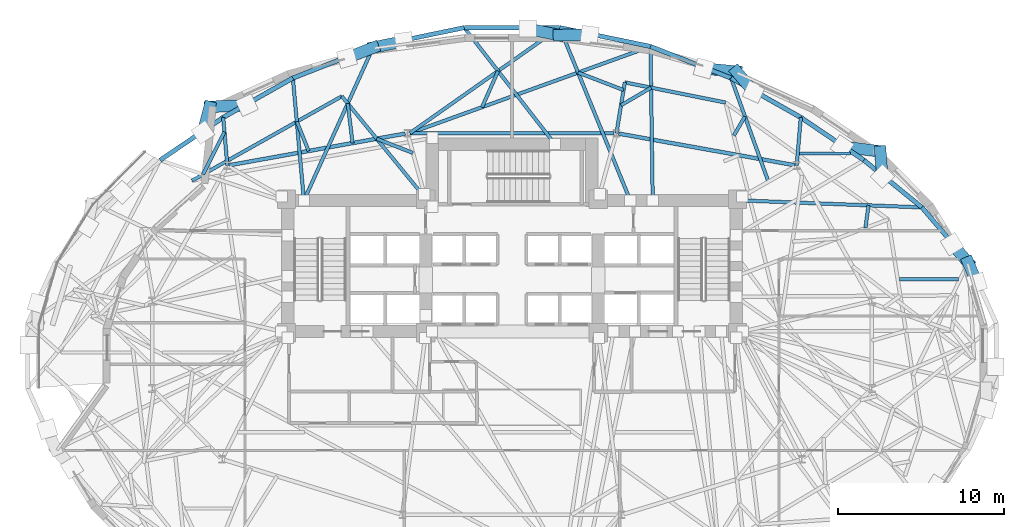
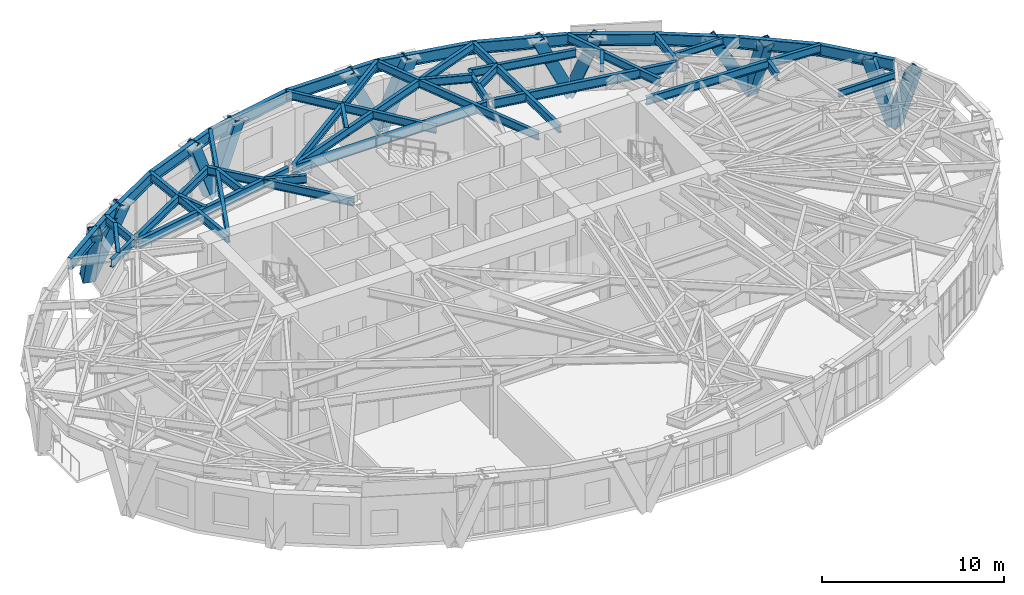
# One storey, part 7 of 20: 40 beams, 12 members.
"""IFC4 building model written with IfcOpenShell, lengths in metres."""

from ifc_helpers import new_model, si_unit, direction, frame, origin, origin_2d, place, context, subcontext, project, spatial, hollow_rectangle, i_section, extrude, material, material_profile, profile_set, type_object, element, save


model = new_model("IFC4")

# Units and contexts
model_context = context("Model", 3, precision=1e-05, world=origin(), true_north=direction((0.0, 1.0)))
body_context = subcontext(model_context, "Body", "Model", "MODEL_VIEW")
ifc_project = project(units=[si_unit("LENGTHUNIT", "METRE"), si_unit("AREAUNIT", "SQUARE_METRE"), si_unit("VOLUMEUNIT", "CUBIC_METRE"), si_unit("PLANEANGLEUNIT", "RADIAN"), si_unit("MASSUNIT", "GRAM", prefix="KILO")], contexts=[model_context])

# Site, building, storey
site_placement = place(None, origin())
site = spatial("IfcSite", under=ifc_project, at=site_placement, CompositionType="ELEMENT")
building_placement = place(site_placement, origin())
building = spatial("IfcBuilding", under=site, at=building_placement, Name="Keldmark Tower", CompositionType="ELEMENT")
storey_placement = place(building_placement, frame((0.0, 0.0, 81.89990234375)))
storey = spatial("IfcBuildingStorey", under=building, at=storey_placement, Name="L21", CompositionType="ELEMENT", Elevation=81.89990234375)

# Beams
ifc_material_1 = material(Name="Steel ASTM A992 Grade 50", Category="steel")
ifc_material_profile_1 = material_profile(ifc_material_1, i_section(OverallWidth=0.19091796875, OverallDepth=0.45703125, WebThickness=0.009033203125, FlangeThickness=0.014404296875, at=origin_2d()), Name="W18X50")
ifc_profile_set_1 = profile_set([ifc_material_profile_1], Name="Steel ASTM A992 Grade 50")
beam_type_1 = type_object("IfcBeamType", Name="Composite Floor Joist W18X50", PredefinedType="JOIST", material=ifc_profile_set_1)
beam_1_placement = place(storey_placement, frame((23.35595703125, 4.6201171875, 3.781494140625), z_axis=(1.0, 0.0, 0.0), x_axis=(0.0, 1.0, 0.0)))
element("IfcBeam", 1, at=beam_1_placement, inside=storey, type_object=beam_type_1, Name="L21 Composite Floor Joist J09", PredefinedType="JOIST", context=body_context, shape_type="SweptSolid", body=[
    extrude(i_section(OverallWidth=0.19091796875, OverallDepth=0.45703125, WebThickness=0.009033203125, FlangeThickness=0.014404296875, at=origin_2d()), origin(), (0.0, 0.0, 1.0), 3.557373046875),
])
beam_2_placement = place(storey_placement, frame((17.329345703125, 12.199951171875, 3.781494140625), z_axis=(1.0, 0.0, 0.0), x_axis=(0.0, 1.0, 0.0)))
element("IfcBeam", 2, at=beam_2_placement, inside=storey, type_object=beam_type_1, Name="L21 Composite Floor Joist J10", PredefinedType="JOIST", context=body_context, shape_type="SweptSolid", body=[
    extrude(i_section(OverallWidth=0.19091796875, OverallDepth=0.45703125, WebThickness=0.009033203125, FlangeThickness=0.014404296875, at=origin_2d()), origin(), (0.0, 0.0, 1.0), 3.079345703125),
])

# Members
ifc_material_2 = material(Name="Steel ASTM A572 Grade 50", Category="steel")
ifc_material_profile_2 = material_profile(ifc_material_2, hollow_rectangle(XDim=0.699951171875, YDim=0.699951171875, WallThickness=0.054931640625, at=origin_2d()), Name="BOX700X700X55")
ifc_profile_set_2 = profile_set([ifc_material_profile_2], Name="Steel ASTM A572 Grade 50")
member_type = type_object("IfcMemberType", Name="Diagrid Zone 1 Brace BOX700X700X55", PredefinedType="BRACE", material=ifc_profile_set_2)
member_1_placement = place(storey_placement, frame((27.500244140625, 5.65478515625, -0.2998046875), z_axis=(0.12044174913, -0.281049240485, 0.952105618873), x_axis=(0.919154414374, 0.393897401028, 0.0)))
element("IfcMember", 3, at=member_1_placement, inside=storey, type_object=member_type, Name="L21 Perimeter Diagrid Brace 01A", PredefinedType="BRACE", context=body_context, shape_type="SweptSolid", body=[
    extrude(hollow_rectangle(XDim=0.699951171875, YDim=0.699951171875, WallThickness=0.054931640625, at=origin_2d()), origin(), (0.0, 0.0, 1.0), 4.400634765625),
])
member_2_placement = place(storey_placement, frame((27.50244140625, 5.643310546875, -0.2998046875), z_axis=(-0.217627513872, 0.247554047629, 0.944116125648), x_axis=(-0.751044511296, -0.66025157482, 0.0)))
element("IfcMember", 4, at=member_2_placement, inside=storey, type_object=member_type, Name="L21 Perimeter Diagrid Brace 01B", PredefinedType="BRACE", context=body_context, shape_type="SweptSolid", body=[
    extrude(hollow_rectangle(XDim=0.699951171875, YDim=0.699951171875, WallThickness=0.054931640625, at=origin_2d()), origin(), (0.0, 0.0, 1.0), 4.43798828125),
])
member_3_placement = place(storey_placement, frame((22.209716796875, 12.34228515625, -0.2998046875), z_axis=(0.027823861202, -0.340075500402, 0.939986429037), x_axis=(0.996669722655, 0.081544245307, 0.0)))
element("IfcMember", 5, at=member_3_placement, inside=storey, type_object=member_type, Name="L21 Perimeter Diagrid Brace 02A", PredefinedType="BRACE", context=body_context, shape_type="SweptSolid", body=[
    extrude(hollow_rectangle(XDim=0.699951171875, YDim=0.699951171875, WallThickness=0.054931640625, at=origin_2d()), origin(), (0.0, 0.0, 1.0), 4.45751953125),
])
member_4_placement = place(storey_placement, frame((22.21630859375, 12.33251953125, -0.2998046875), z_axis=(-0.482147603591, 0.061108695005, 0.8739561864), x_axis=(-0.125736835379, -0.992063631139, 0.0)))
element("IfcMember", 6, at=member_4_placement, inside=storey, type_object=member_type, Name="L21 Perimeter Diagrid Brace 02B", PredefinedType="BRACE", context=body_context, shape_type="SweptSolid", body=[
    extrude(hollow_rectangle(XDim=0.699951171875, YDim=0.699951171875, WallThickness=0.054931640625, at=origin_2d()), origin(), (0.0, 0.0, 1.0), 4.794189453125),
])
member_5_placement = place(storey_placement, frame((13.5380859375, 17.151123046875, -0.2998046875), z_axis=(0.231139046021, -0.274593186673, 0.933366660663), x_axis=(0.765044778208, 0.643977086034, 0.0)))
element("IfcMember", 7, at=member_5_placement, inside=storey, type_object=member_type, Name="L21 Perimeter Diagrid Brace 03A", PredefinedType="BRACE", context=body_context, shape_type="SweptSolid", body=[
    extrude(hollow_rectangle(XDim=0.699951171875, YDim=0.699951171875, WallThickness=0.054931640625, at=origin_2d()), origin(), (0.0, 0.0, 1.0), 4.489013671875),
])
member_6_placement = place(storey_placement, frame((13.5478515625, 17.14453125, -0.2998046875), z_axis=(-0.427483701348, 0.041674925094, 0.90306195009), x_axis=(-0.097028926271, -0.995281561904, 0.0)))
element("IfcMember", 8, at=member_6_placement, inside=storey, type_object=member_type, Name="L21 Perimeter Diagrid Brace 03B", PredefinedType="BRACE", context=body_context, shape_type="SweptSolid", body=[
    extrude(hollow_rectangle(XDim=0.699951171875, YDim=0.699951171875, WallThickness=0.054931640625, at=origin_2d()), origin(), (0.0, 0.0, 1.0), 4.6396484375),
])
member_7_placement = place(storey_placement, frame((2.805419921875, 19.3486328125, -0.2998046875), z_axis=(0.409129143285, 0.002764745348, 0.912472301113), x_axis=(-0.006757480537, 0.999977167968, 0.0)))
element("IfcMember", 9, at=member_7_placement, inside=storey, type_object=member_type, Name="L21 Perimeter Diagrid Brace 04A", PredefinedType="BRACE", context=body_context, shape_type="SweptSolid", body=[
    extrude(hollow_rectangle(XDim=0.699951171875, YDim=0.699951171875, WallThickness=0.054931640625, at=origin_2d()), origin(), (0.0, 0.0, 1.0), 4.591796875),
])
member_8_placement = place(storey_placement, frame((2.81689453125, 19.346435546875, -0.2998046875), z_axis=(-0.404995460676, 0.085083525727, 0.910351289603), x_axis=(-0.205597030083, -0.978636736088, 0.0)))
element("IfcMember", 10, at=member_8_placement, inside=storey, type_object=member_type, Name="L21 Perimeter Diagrid Brace 04B", PredefinedType="BRACE", context=body_context, shape_type="SweptSolid", body=[
    extrude(hollow_rectangle(XDim=0.699951171875, YDim=0.699951171875, WallThickness=0.054931640625, at=origin_2d()), origin(), (0.0, 0.0, 1.0), 4.6025390625),
])
member_9_placement = place(storey_placement, frame((-8.354248046875, 18.6005859375, -0.2998046875), z_axis=(0.399517615859, 0.082723021659, 0.912985529078), x_axis=(-0.202756509143, 0.979229185635, 0.0)))
element("IfcMember", 11, at=member_9_placement, inside=storey, type_object=member_type, Name="L21 Perimeter Diagrid Brace 05A", PredefinedType="BRACE", context=body_context, shape_type="SweptSolid", body=[
    extrude(hollow_rectangle(XDim=0.699951171875, YDim=0.699951171875, WallThickness=0.054931640625, at=origin_2d()), origin(), (0.0, 0.0, 1.0), 4.58935546875),
])
member_10_placement = place(storey_placement, frame((-8.3427734375, 18.602783203125, -0.2998046875), z_axis=(-0.35550658769, -0.139897927116, 0.92414481338), x_axis=(0.366184335063, -0.930542332597, 0.0)))
element("IfcMember", 12, at=member_10_placement, inside=storey, type_object=member_type, Name="L21 Perimeter Diagrid Brace 05B", PredefinedType="BRACE", context=body_context, shape_type="SweptSolid", body=[
    extrude(hollow_rectangle(XDim=0.699951171875, YDim=0.699951171875, WallThickness=0.054931640625, at=origin_2d()), origin(), (0.0, 0.0, 1.0), 4.533935546875),
])
member_11_placement = place(storey_placement, frame((-18.2421875, 15.020751953125, -0.2998046875), z_axis=(0.474031171638, 0.021080589866, 0.880255677088), x_axis=(-0.044426984701, 0.999012634069, 0.0)))
element("IfcMember", 13, at=member_11_placement, inside=storey, type_object=member_type, Name="L21 Perimeter Diagrid Brace 06A", PredefinedType="BRACE", context=body_context, shape_type="SweptSolid", body=[
    extrude(hollow_rectangle(XDim=0.699951171875, YDim=0.699951171875, WallThickness=0.054931640625, at=origin_2d()), origin(), (0.0, 0.0, 1.0), 4.760009765625),
])
member_12_placement = place(storey_placement, frame((-18.232421875, 15.02734375, -0.2998046875), z_axis=(-0.091907270107, -0.345590925072, 0.933873635033), x_axis=(0.966408983899, -0.257009096804, 0.0)))
element("IfcMember", 14, at=member_12_placement, inside=storey, type_object=member_type, Name="L21 Perimeter Diagrid Brace 06B", PredefinedType="BRACE", context=body_context, shape_type="SweptSolid", body=[
    extrude(hollow_rectangle(XDim=0.699951171875, YDim=0.699951171875, WallThickness=0.054931640625, at=origin_2d()), origin(), (0.0, 0.0, 1.0), 4.486572265625),
])

# Beams
ifc_material_3 = material(Name="Steel ASTM A992 Grade 50", Category="steel")
ifc_material_profile_3 = material_profile(ifc_material_3, i_section(OverallWidth=0.22900390625, OverallDepth=0.612060546875, WebThickness=0.011962890625, FlangeThickness=0.01953125, at=origin_2d()), Name="W24X84")
ifc_profile_set_3 = profile_set([ifc_material_profile_3], Name="Steel ASTM A992 Grade 50")
beam_type_2 = type_object("IfcBeamType", Name="Primary Floor Girder W24X84", PredefinedType="BEAM", material=ifc_profile_set_3)
beam_3_placement = place(storey_placement, frame((17.029296875, 11.503173828125, 3.7041015625), z_axis=(-0.984218266992, 0.176958760505, 0.0), x_axis=(-0.176958760505, -0.984218266992, 0.0)))
element("IfcBeam", 15, at=beam_3_placement, inside=storey, type_object=beam_type_2, Name="L21 Floor Ring Girder FG-R02", PredefinedType="BEAM", context=body_context, shape_type="SweptSolid", body=[
    extrude(i_section(OverallWidth=0.22900390625, OverallDepth=0.612060546875, WebThickness=0.011962890625, FlangeThickness=0.01953125, at=origin_2d()), origin(), (0.0, 0.0, 1.0), 10.7626953125),
])
beam_4_placement = place(storey_placement, frame((6.15869140625, 13.4326171875, 3.7041015625), z_axis=(-1.0, 0.0, 0.0), x_axis=(0.0, -1.0, 0.0)))
element("IfcBeam", 16, at=beam_4_placement, inside=storey, type_object=beam_type_2, Name="L21 Floor Ring Girder FG-R03", PredefinedType="BEAM", context=body_context, shape_type="SweptSolid", body=[
    extrude(i_section(OverallWidth=0.22900390625, OverallDepth=0.612060546875, WebThickness=0.011962890625, FlangeThickness=0.01953125, at=origin_2d()), origin(), (0.0, 0.0, 1.0), 12.3173828125),
])
beam_5_placement = place(storey_placement, frame((-6.4365234375, 13.40771484375, 3.7041015625), z_axis=(-0.984218266992, -0.176958760505, 0.0), x_axis=(0.176958760505, -0.984218266992, 0.0)))
element("IfcBeam", 17, at=beam_5_placement, inside=storey, type_object=beam_type_2, Name="L21 Floor Ring Girder FG-R04", PredefinedType="BEAM", context=body_context, shape_type="SweptSolid", body=[
    extrude(i_section(OverallWidth=0.22900390625, OverallDepth=0.612060546875, WebThickness=0.011962890625, FlangeThickness=0.01953125, at=origin_2d()), origin(), (0.0, 0.0, 1.0), 10.7626953125),
])
ifc_material_4 = material(Name="Steel ASTM A992 Grade 50", Category="steel")
ifc_material_profile_4 = material_profile(ifc_material_4, i_section(OverallWidth=0.2099609375, OverallDepth=0.537109375, WebThickness=0.010986328125, FlangeThickness=0.017333984375, at=origin_2d()), Name="W21X68")
ifc_profile_set_4 = profile_set([ifc_material_profile_4], Name="Steel ASTM A992 Grade 50")
beam_type_3 = type_object("IfcBeamType", Name="Radial Tie Girder W21X68", PredefinedType="BEAM", material=ifc_profile_set_4)
beam_6_placement = place(storey_placement, frame((-5.968505859375, 12.23583984375, 3.74169921875), z_axis=(-0.930557263948, 0.366146389459, 0.0), x_axis=(-0.366146389459, -0.930557263948, 0.0)))
element("IfcBeam", 18, at=beam_6_placement, inside=storey, type_object=beam_type_3, Name="L21 Framing Pin Header PH-002", PredefinedType="BEAM", context=body_context, shape_type="SweptSolid", body=[
    extrude(i_section(OverallWidth=0.2099609375, OverallDepth=0.537109375, WebThickness=0.010986328125, FlangeThickness=0.017333984375, at=origin_2d()), origin(), (0.0, 0.0, 1.0), 2.3544921875),
])
beam_7_placement = place(storey_placement, frame((-4.800048828125, 9.0, 3.74169921875), z_axis=(-0.633977169225, 0.773351762719, 0.0), x_axis=(-0.773351762719, -0.633977169225, 0.0)))
element("IfcBeam", 19, at=beam_7_placement, inside=storey, type_object=beam_type_3, Name="L21 Sub-Ring Step Girder STP1-M05", PredefinedType="BEAM", context=body_context, shape_type="SweptSolid", body=[
    extrude(i_section(OverallWidth=0.2099609375, OverallDepth=0.537109375, WebThickness=0.010986328125, FlangeThickness=0.017333984375, at=origin_2d()), origin(), (0.0, 0.0, 1.0), 8.609619140625),
])
beam_8_placement = place(storey_placement, frame((-10.25830078125, 15.658203125, 3.74169921875), z_axis=(-0.871422105333, -0.490533907429, 0.0), x_axis=(0.490533907429, -0.871422105333, 0.0)))
element("IfcBeam", 20, at=beam_8_placement, inside=storey, type_object=beam_type_3, Name="L21 Perimeter Collector Ring Beam CRG1-M05", PredefinedType="BEAM", context=body_context, shape_type="SweptSolid", body=[
    extrude(i_section(OverallWidth=0.2099609375, OverallDepth=0.537109375, WebThickness=0.010986328125, FlangeThickness=0.017333984375, at=origin_2d()), origin(), (0.0, 0.0, 1.0), 10.37158203125),
])
beam_9_placement = place(storey_placement, frame((21.311767578125, 7.714599609375, 3.74169921875), z_axis=(0.136140152401, 0.990689587562, 0.0), x_axis=(-0.990689587562, 0.136140152401, 0.0)))
element("IfcBeam", 21, at=beam_9_placement, inside=storey, type_object=beam_type_3, Name="L21 Framing Pin Header PH-013", PredefinedType="BEAM", context=body_context, shape_type="SweptSolid", body=[
    extrude(i_section(OverallWidth=0.2099609375, OverallDepth=0.537109375, WebThickness=0.010986328125, FlangeThickness=0.017333984375, at=origin_2d()), origin(), (0.0, 0.0, 1.0), 1.379150390625),
])
beam_10_placement = place(storey_placement, frame((13.89990234375, 9.375, 3.74169921875), z_axis=(0.999252189112, -0.03866603877, 0.0), x_axis=(0.03866603877, 0.999252189112, 0.0)))
element("IfcBeam", 22, at=beam_10_placement, inside=storey, type_object=beam_type_3, Name="L21 Perimeter Radial Tie Girder RT-03", PredefinedType="BEAM", context=body_context, shape_type="SweptSolid", body=[
    extrude(i_section(OverallWidth=0.2099609375, OverallDepth=0.537109375, WebThickness=0.010986328125, FlangeThickness=0.017333984375, at=origin_2d()), origin(), (0.0, 0.0, 1.0), 10.82861328125),
])
beam_11_placement = place(storey_placement, frame((17.1669921875, 11.478271484375, 3.74169921875), z_axis=(0.084916582356, 0.99638806398, 0.0), x_axis=(-0.99638806398, 0.084916582356, 0.0)))
element("IfcBeam", 23, at=beam_11_placement, inside=storey, type_object=beam_type_3, Name="L21 Perimeter Column Bracket RT-05", PredefinedType="BEAM", context=body_context, shape_type="SweptSolid", body=[
    extrude(i_section(OverallWidth=0.2099609375, OverallDepth=0.537109375, WebThickness=0.010986328125, FlangeThickness=0.017333984375, at=origin_2d()), origin(), (0.0, 0.0, 1.0), 2.915283203125),
])
beam_12_placement = place(storey_placement, frame((13.376220703125, 13.290771484375, 3.74169921875), z_axis=(0.504418746435, 0.863459164203, 0.0), x_axis=(-0.863459164203, 0.504418746435, 0.0)))
element("IfcBeam", 24, at=beam_12_placement, inside=storey, type_object=beam_type_3, Name="L21 Framing Pin Header PH-014", PredefinedType="BEAM", context=body_context, shape_type="SweptSolid", body=[
    extrude(i_section(OverallWidth=0.2099609375, OverallDepth=0.537109375, WebThickness=0.010986328125, FlangeThickness=0.017333984375, at=origin_2d()), origin(), (0.0, 0.0, 1.0), 1.330078125),
])
beam_13_placement = place(storey_placement, frame((15.4619140625, 10.508544921875, 3.74169921875), z_axis=(-0.338653062417, 0.94091131533, 0.0), x_axis=(-0.94091131533, -0.338653062417, 0.0)))
element("IfcBeam", 25, at=beam_13_placement, inside=storey, type_object=beam_type_3, Name="L21 Perimeter Radial Tie Girder RT-06", PredefinedType="BEAM", context=body_context, shape_type="SweptSolid", body=[
    extrude(i_section(OverallWidth=0.2099609375, OverallDepth=0.537109375, WebThickness=0.010986328125, FlangeThickness=0.017333984375, at=origin_2d()), origin(), (0.0, 0.0, 1.0), 6.6396484375),
])
beam_14_placement = place(storey_placement, frame((-9.614501953125, 12.836181640625, 3.74169921875), z_axis=(-0.120101134946, 0.992761661923, 0.0), x_axis=(-0.992761661923, -0.120101134946, 0.0)))
element("IfcBeam", 26, at=beam_14_placement, inside=storey, type_object=beam_type_3, Name="L21 Framing Pin Header PH-015", PredefinedType="BEAM", context=body_context, shape_type="SweptSolid", body=[
    extrude(i_section(OverallWidth=0.2099609375, OverallDepth=0.537109375, WebThickness=0.010986328125, FlangeThickness=0.017333984375, at=origin_2d()), origin(), (0.0, 0.0, 1.0), 2.40673828125),
])
beam_15_placement = place(storey_placement, frame((-12.54638671875, 9.375, 3.74169921875), z_axis=(0.411684300449, 0.911326525875, 0.0), x_axis=(-0.911326525875, 0.411684300449, 0.0)))
element("IfcBeam", 27, at=beam_15_placement, inside=storey, type_object=beam_type_3, Name="L21 Perimeter Radial Tie Girder RT-10", PredefinedType="BEAM", context=body_context, shape_type="SweptSolid", body=[
    extrude(i_section(OverallWidth=0.2099609375, OverallDepth=0.537109375, WebThickness=0.010986328125, FlangeThickness=0.017333984375, at=origin_2d()), origin(), (0.0, 0.0, 1.0), 10.189453125),
])
beam_16_placement = place(storey_placement, frame((-12.2626953125, 12.360107421875, 3.74169921875), z_axis=(-0.374016297746, 0.927422130974, 0.0), x_axis=(-0.927422130974, -0.374016297746, 0.0)))
element("IfcBeam", 28, at=beam_16_placement, inside=storey, type_object=beam_type_3, Name="L21 Framing Pin Header PH-016", PredefinedType="BEAM", context=body_context, shape_type="SweptSolid", body=[
    extrude(i_section(OverallWidth=0.2099609375, OverallDepth=0.537109375, WebThickness=0.010986328125, FlangeThickness=0.017333984375, at=origin_2d()), origin(), (0.0, 0.0, 1.0), 1.90673828125),
])
beam_17_placement = place(storey_placement, frame((-12.54638671875, 9.375, 3.74169921875), z_axis=(-0.090001079534, 0.995941667811, 0.0), x_axis=(-0.995941667811, -0.090001079534, 0.0)))
element("IfcBeam", 29, at=beam_17_placement, inside=storey, type_object=beam_type_3, Name="L21 Perimeter Radial Tie Girder RT-11", PredefinedType="BEAM", context=body_context, shape_type="SweptSolid", body=[
    extrude(i_section(OverallWidth=0.2099609375, OverallDepth=0.537109375, WebThickness=0.010986328125, FlangeThickness=0.017333984375, at=origin_2d()), origin(), (0.0, 0.0, 1.0), 7.410888671875),
])
beam_18_placement = place(storey_placement, frame((-17.1669921875, 11.478271484375, 3.74169921875), z_axis=(-0.084916582356, 0.99638806398, 0.0), x_axis=(-0.99638806398, -0.084916582356, 0.0)))
element("IfcBeam", 30, at=beam_18_placement, inside=storey, type_object=beam_type_3, Name="L21 Perimeter Column Bracket RT-12", PredefinedType="BEAM", context=body_context, shape_type="SweptSolid", body=[
    extrude(i_section(OverallWidth=0.2099609375, OverallDepth=0.537109375, WebThickness=0.010986328125, FlangeThickness=0.017333984375, at=origin_2d()), origin(), (0.0, 0.0, 1.0), 2.915283203125),
])
beam_19_placement = place(storey_placement, frame((-17.34033203125, 13.51171875, 3.74169921875), z_axis=(-0.449353711961, -0.893353928489, 0.0), x_axis=(0.893353928489, -0.449353711961, 0.0)))
element("IfcBeam", 31, at=beam_19_placement, inside=storey, type_object=beam_type_3, Name="L21 Framing Pin Header PH-017", PredefinedType="BEAM", context=body_context, shape_type="SweptSolid", body=[
    extrude(i_section(OverallWidth=0.2099609375, OverallDepth=0.537109375, WebThickness=0.010986328125, FlangeThickness=0.017333984375, at=origin_2d()), origin(), (0.0, 0.0, 1.0), 2.873046875),
])
beam_20_placement = place(storey_placement, frame((6.298828125, 13.4326171875, 3.74169921875), z_axis=(0.162292683504, 0.986742663961, 0.0), x_axis=(-0.986742663961, 0.162292683504, 0.0)))
element("IfcBeam", 32, at=beam_20_placement, inside=storey, type_object=beam_type_3, Name="L21 Column Step Bracket RT-07RS", PredefinedType="BEAM", context=body_context, shape_type="SweptSolid", body=[
    extrude(i_section(OverallWidth=0.2099609375, OverallDepth=0.537109375, WebThickness=0.010986328125, FlangeThickness=0.017333984375, at=origin_2d()), origin(), (0.0, 0.0, 1.0), 3.101806640625),
])
beam_21_placement = place(storey_placement, frame((6.80224609375, 16.493408203125, 3.74169921875), z_axis=(0.9806503455, -0.195767463771, 0.0), x_axis=(0.195767463771, 0.9806503455, 0.0)))
element("IfcBeam", 33, at=beam_21_placement, inside=storey, type_object=beam_type_3, Name="L21 Column Step Chord RT-07RK", PredefinedType="BEAM", context=body_context, shape_type="SweptSolid", body=[
    extrude(i_section(OverallWidth=0.2099609375, OverallDepth=0.537109375, WebThickness=0.010986328125, FlangeThickness=0.017333984375, at=origin_2d()), origin(), (0.0, 0.0, 1.0), 6.1943359375),
])
beam_22_placement = place(storey_placement, frame((6.57568359375, 15.115966796875, 3.74169921875), z_axis=(0.862913061259, 0.505352400517, 0.0), x_axis=(-0.505352400517, 0.862913061259, 0.0)))
element("IfcBeam", 34, at=beam_22_placement, inside=storey, type_object=beam_type_3, Name="L21 Framing Pin Header PH-038", PredefinedType="BEAM", context=body_context, shape_type="SweptSolid", body=[
    extrude(i_section(OverallWidth=0.2099609375, OverallDepth=0.537109375, WebThickness=0.010986328125, FlangeThickness=0.017333984375, at=origin_2d()), origin(), (0.0, 0.0, 1.0), 2.099609375),
])
beam_23_placement = place(storey_placement, frame((8.485595703125, 9.375, 3.74169921875), z_axis=(-0.014432570499, 0.99989584503, 0.0), x_axis=(-0.99989584503, -0.014432570499, 0.0)))
element("IfcBeam", 35, at=beam_23_placement, inside=storey, type_object=beam_type_3, Name="L21 Perimeter Radial Tie Girder RT-07R", PredefinedType="BEAM", context=body_context, shape_type="SweptSolid", body=[
    extrude(i_section(OverallWidth=0.2099609375, OverallDepth=0.537109375, WebThickness=0.010986328125, FlangeThickness=0.017333984375, at=origin_2d()), origin(), (0.0, 0.0, 1.0), 9.286865234375),
])
beam_24_placement = place(storey_placement, frame((8.3515625, 18.660888671875, 3.74169921875), z_axis=(-0.940792736251, -0.338982340863, 0.0), x_axis=(0.338982340863, -0.940792736251, 0.0)))
element("IfcBeam", 36, at=beam_24_placement, inside=storey, type_object=beam_type_3, Name="L21 Straddling Support Chord RT-08RB", PredefinedType="BEAM", context=body_context, shape_type="SweptSolid", body=[
    extrude(i_section(OverallWidth=0.2099609375, OverallDepth=0.537109375, WebThickness=0.010986328125, FlangeThickness=0.017333984375, at=origin_2d()), origin(), (0.0, 0.0, 1.0), 15.42333984375),
])
beam_25_placement = place(storey_placement, frame((6.726806640625, 16.0341796875, 3.74169921875), z_axis=(-0.933621564727, 0.358260762401, 0.0), x_axis=(-0.358260762401, -0.933621564727, 0.0)))
element("IfcBeam", 37, at=beam_25_placement, inside=storey, type_object=beam_type_3, Name="L21 Framing Pin Header PH-039", PredefinedType="BEAM", context=body_context, shape_type="SweptSolid", body=[
    extrude(i_section(OverallWidth=0.2099609375, OverallDepth=0.537109375, WebThickness=0.010986328125, FlangeThickness=0.017333984375, at=origin_2d()), origin(), (0.0, 0.0, 1.0), 2.9384765625),
])
beam_26_placement = place(storey_placement, frame((7.132080078125, 9.375, 3.74169921875), z_axis=(-0.377991839041, 0.925808927165, 0.0), x_axis=(-0.925808927165, -0.377991839041, 0.0)))
element("IfcBeam", 38, at=beam_26_placement, inside=storey, type_object=beam_type_3, Name="L21 Perimeter Radial Tie Girder RT-08R", PredefinedType="BEAM", context=body_context, shape_type="SweptSolid", body=[
    extrude(i_section(OverallWidth=0.2099609375, OverallDepth=0.537109375, WebThickness=0.010986328125, FlangeThickness=0.017333984375, at=origin_2d()), origin(), (0.0, 0.0, 1.0), 11.2578125),
])
beam_27_placement = place(storey_placement, frame((2.876708984375, 19.797607421875, 3.74169921875), z_axis=(-0.817519069787, -0.575901528505, 0.0), x_axis=(0.575901528505, -0.817519069787, 0.0)))
element("IfcBeam", 39, at=beam_27_placement, inside=storey, type_object=beam_type_3, Name="L21 Straddling Support Chord RT-09RB", PredefinedType="BEAM", context=body_context, shape_type="SweptSolid", body=[
    extrude(i_section(OverallWidth=0.2099609375, OverallDepth=0.537109375, WebThickness=0.010986328125, FlangeThickness=0.017333984375, at=origin_2d()), origin(), (0.0, 0.0, 1.0), 11.05224609375),
])
beam_28_placement = place(storey_placement, frame((-1.8056640625, 15.0009765625, 3.74169921875), z_axis=(0.405349432096, 0.9141618226, 0.0), x_axis=(-0.9141618226, 0.405349432096, 0.0)))
element("IfcBeam", 40, at=beam_28_placement, inside=storey, type_object=beam_type_3, Name="L21 Framing Pin Header PH-040", PredefinedType="BEAM", context=body_context, shape_type="SweptSolid", body=[
    extrude(i_section(OverallWidth=0.2099609375, OverallDepth=0.537109375, WebThickness=0.010986328125, FlangeThickness=0.017333984375, at=origin_2d()), origin(), (0.0, 0.0, 1.0), 2.38330078125),
])
beam_29_placement = place(storey_placement, frame((2.58740234375, 12.77490234375, 3.74169921875), z_axis=(-0.614081168772, 0.789242876534, 0.0), x_axis=(-0.789242876534, -0.614081168772, 0.0)))
element("IfcBeam", 41, at=beam_29_placement, inside=storey, type_object=beam_type_3, Name="L21 Perimeter Radial Tie Girder RT-09R", PredefinedType="BEAM", context=body_context, shape_type="SweptSolid", body=[
    extrude(i_section(OverallWidth=0.2099609375, OverallDepth=0.537109375, WebThickness=0.010986328125, FlangeThickness=0.017333984375, at=origin_2d()), origin(), (0.0, 0.0, 1.0), 8.89794921875),
])
ifc_material_5 = material(Name="Steel ASTM A992 Grade 50", Category="steel")
ifc_material_profile_5 = material_profile(ifc_material_5, i_section(OverallWidth=0.26806640625, OverallDepth=0.77001953125, WebThickness=0.015625, FlangeThickness=0.025390625, at=origin_2d()), Name="W30X132")
ifc_profile_set_5 = profile_set([ifc_material_profile_5], Name="Steel ASTM A992 Grade 50")
beam_type_4 = type_object("IfcBeamType", Name="Spandrel Ring Beam W30X132", PredefinedType="SPANDREL", material=ifc_profile_set_5)
beam_30_placement = place(storey_placement, frame((27.531005859375, 5.660888671875, 3.625), z_axis=(-0.648913975558, 0.760861782669, 0.0), x_axis=(-0.760861782669, -0.648913975558, 0.0)))
element("IfcBeam", 42, at=beam_30_placement, inside=storey, type_object=beam_type_4, Name="L21 Perimeter Spandrel Ring Beam SRB-02", PredefinedType="SPANDREL", context=body_context, shape_type="SweptSolid", body=[
    extrude(i_section(OverallWidth=0.26806640625, OverallDepth=0.77001953125, WebThickness=0.015625, FlangeThickness=0.025390625, at=origin_2d()), origin(), (0.0, 0.0, 1.0), 4.3310546875),
])
beam_31_placement = place(storey_placement, frame((24.720458984375, 8.956298828125, 3.625), z_axis=(-0.775754770681, 0.631034496494, 0.0), x_axis=(-0.631034496494, -0.775754770681, 0.0)))
element("IfcBeam", 43, at=beam_31_placement, inside=storey, type_object=beam_type_4, Name="L21 Perimeter Spandrel Ring Beam SRB-03", PredefinedType="SPANDREL", context=body_context, shape_type="SweptSolid", body=[
    extrude(i_section(OverallWidth=0.26806640625, OverallDepth=0.77001953125, WebThickness=0.015625, FlangeThickness=0.025390625, at=origin_2d()), origin(), (0.0, 0.0, 1.0), 4.5126953125),
])
beam_32_placement = place(storey_placement, frame((21.2197265625, 11.803955078125, 3.625), z_axis=(-0.827777061901, 0.561057159112, 0.0), x_axis=(-0.561057159112, -0.827777061901, 0.0)))
element("IfcBeam", 44, at=beam_32_placement, inside=storey, type_object=beam_type_4, Name="L21 Perimeter Spandrel Ring Beam SRB-04", PredefinedType="SPANDREL", context=body_context, shape_type="SweptSolid", body=[
    extrude(i_section(OverallWidth=0.26806640625, OverallDepth=0.77001953125, WebThickness=0.015625, FlangeThickness=0.025390625, at=origin_2d()), origin(), (0.0, 0.0, 1.0), 4.596923828125),
])
beam_33_placement = place(storey_placement, frame((17.41455078125, 14.383056640625, 3.625), z_axis=(-0.870720175304, 0.491778787993, 0.0), x_axis=(-0.491778787993, -0.870720175304, 0.0)))
element("IfcBeam", 45, at=beam_33_placement, inside=storey, type_object=beam_type_4, Name="L21 Perimeter Spandrel Ring Beam SRB-05", PredefinedType="SPANDREL", context=body_context, shape_type="SweptSolid", body=[
    extrude(i_section(OverallWidth=0.26806640625, OverallDepth=0.77001953125, WebThickness=0.015625, FlangeThickness=0.025390625, at=origin_2d()), origin(), (0.0, 0.0, 1.0), 4.824951171875),
])
beam_34_placement = place(storey_placement, frame((13.21337890625, 16.755859375, 3.625), z_axis=(-0.931075053727, 0.364827691284, 0.0), x_axis=(-0.364827691284, -0.931075053727, 0.0)))
element("IfcBeam", 46, at=beam_34_placement, inside=storey, type_object=beam_type_4, Name="L21 Perimeter Spandrel Ring Beam SRB-06", PredefinedType="SPANDREL", context=body_context, shape_type="SweptSolid", body=[
    extrude(i_section(OverallWidth=0.26806640625, OverallDepth=0.77001953125, WebThickness=0.015625, FlangeThickness=0.025390625, at=origin_2d()), origin(), (0.0, 0.0, 1.0), 5.2216796875),
])
beam_35_placement = place(storey_placement, frame((8.3515625, 18.660888671875, 3.625), z_axis=(-0.979118590293, 0.20328990664, 0.0), x_axis=(-0.20328990664, -0.979118590293, 0.0)))
element("IfcBeam", 47, at=beam_35_placement, inside=storey, type_object=beam_type_4, Name="L21 Perimeter Spandrel Ring Beam SRB-07", PredefinedType="SPANDREL", context=body_context, shape_type="SweptSolid", body=[
    extrude(i_section(OverallWidth=0.26806640625, OverallDepth=0.77001953125, WebThickness=0.015625, FlangeThickness=0.025390625, at=origin_2d()), origin(), (0.0, 0.0, 1.0), 5.591552734375),
])
beam_36_placement = place(storey_placement, frame((2.876708984375, 19.797607421875, 3.625), z_axis=(-1.0, 0.0, 0.0), x_axis=(0.0, -1.0, 0.0)))
element("IfcBeam", 48, at=beam_36_placement, inside=storey, type_object=beam_type_4, Name="L21 Perimeter Spandrel Ring Beam SRB-08", PredefinedType="SPANDREL", context=body_context, shape_type="SweptSolid", body=[
    extrude(i_section(OverallWidth=0.26806640625, OverallDepth=0.77001953125, WebThickness=0.015625, FlangeThickness=0.025390625, at=origin_2d()), origin(), (0.0, 0.0, 1.0), 5.75341796875),
])
beam_37_placement = place(storey_placement, frame((-2.876708984375, 19.797607421875, 3.625), z_axis=(-0.979118590293, -0.20328990664, 0.0), x_axis=(0.20328990664, -0.979118590293, 0.0)))
element("IfcBeam", 49, at=beam_37_placement, inside=storey, type_object=beam_type_4, Name="L21 Perimeter Spandrel Ring Beam SRB-09", PredefinedType="SPANDREL", context=body_context, shape_type="SweptSolid", body=[
    extrude(i_section(OverallWidth=0.26806640625, OverallDepth=0.77001953125, WebThickness=0.015625, FlangeThickness=0.025390625, at=origin_2d()), origin(), (0.0, 0.0, 1.0), 5.591552734375),
])
beam_38_placement = place(storey_placement, frame((-8.3515625, 18.660888671875, 3.625), z_axis=(-0.931075053727, -0.364827691284, 0.0), x_axis=(0.364827691284, -0.931075053727, 0.0)))
element("IfcBeam", 50, at=beam_38_placement, inside=storey, type_object=beam_type_4, Name="L21 Perimeter Spandrel Ring Beam SRB-10", PredefinedType="SPANDREL", context=body_context, shape_type="SweptSolid", body=[
    extrude(i_section(OverallWidth=0.26806640625, OverallDepth=0.77001953125, WebThickness=0.015625, FlangeThickness=0.025390625, at=origin_2d()), origin(), (0.0, 0.0, 1.0), 5.2216796875),
])
beam_39_placement = place(storey_placement, frame((-13.21337890625, 16.755859375, 3.625), z_axis=(-0.870720175304, -0.491778787993, 0.0), x_axis=(0.491778787993, -0.870720175304, 0.0)))
element("IfcBeam", 51, at=beam_39_placement, inside=storey, type_object=beam_type_4, Name="L21 Perimeter Spandrel Ring Beam SRB-11", PredefinedType="SPANDREL", context=body_context, shape_type="SweptSolid", body=[
    extrude(i_section(OverallWidth=0.26806640625, OverallDepth=0.77001953125, WebThickness=0.015625, FlangeThickness=0.025390625, at=origin_2d()), origin(), (0.0, 0.0, 1.0), 4.824951171875),
])
beam_40_placement = place(storey_placement, frame((-17.41455078125, 14.383056640625, 3.625), z_axis=(-0.827777061901, -0.561057159112, 0.0), x_axis=(0.561057159112, -0.827777061901, 0.0)))
element("IfcBeam", 52, at=beam_40_placement, inside=storey, type_object=beam_type_4, Name="L21 Perimeter Spandrel Ring Beam SRB-12", PredefinedType="SPANDREL", context=body_context, shape_type="SweptSolid", body=[
    extrude(i_section(OverallWidth=0.26806640625, OverallDepth=0.77001953125, WebThickness=0.015625, FlangeThickness=0.025390625, at=origin_2d()), origin(), (0.0, 0.0, 1.0), 4.596923828125),
])

save(model, "model.ifc")
